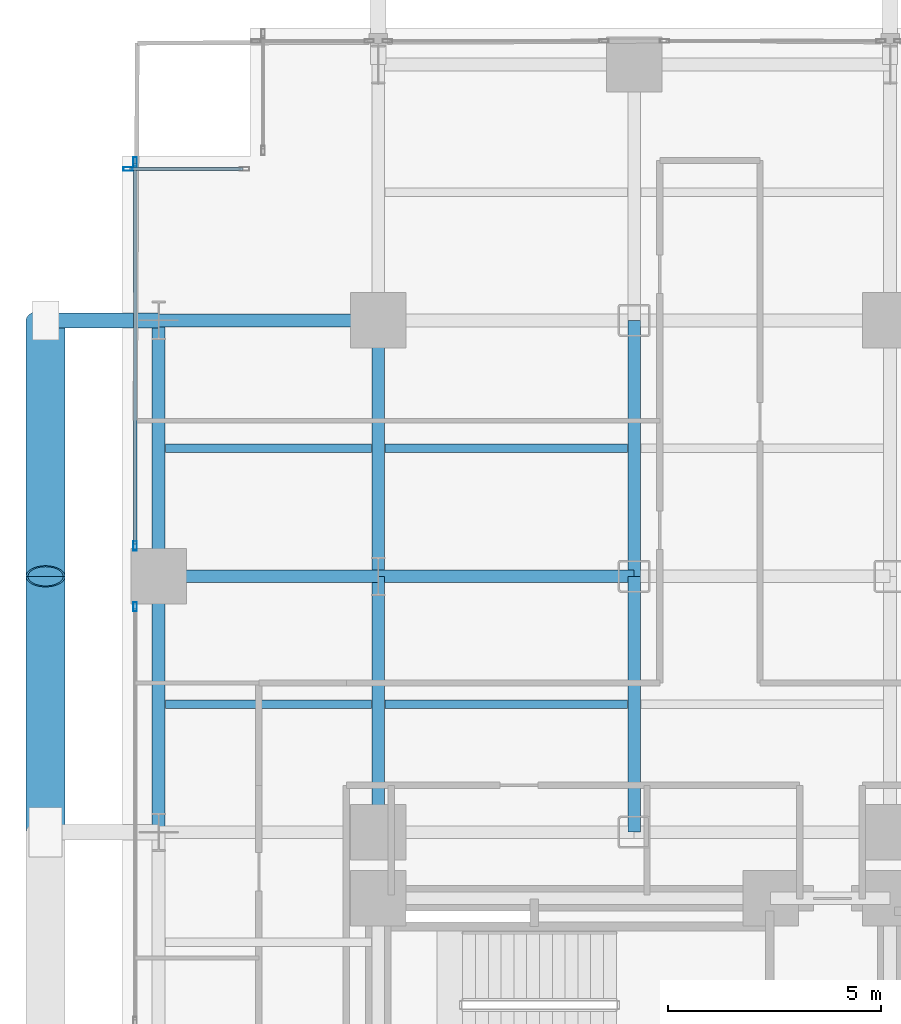
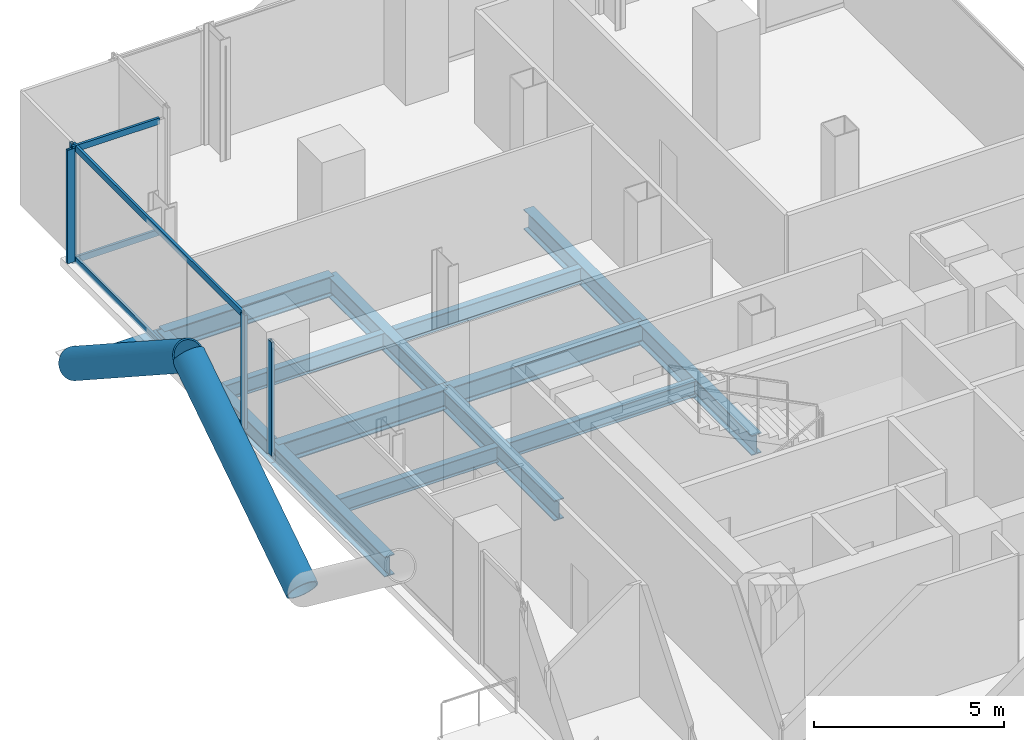
# One storey, part 13 of 25: 13 beams, 11 members, 3 elements without a shape of their own.
"""IFC4 building model written with IfcOpenShell, lengths in metres."""

import ifcopenshell
import ifcopenshell.guid

model = None  # the IFC model being written
_history = None  # IfcOwnerHistory: only IFC2X3 demands one
_inside = {}  # id of a spatial element -> (the spatial element, [elements in it])
_under = {}  # id of a project, library or spatial element -> (it, [spatial elements below it])
_declared = {}  # id of a project -> (the project, [libraries it declares])
_typed = {}  # id of a type object -> (the type object, [elements of that type])
_made_of = {}  # id of a material, layer set ... -> (it, [elements and type objects made of it])


def new_model(schema):
    """Start an empty IFC model of exactly this schema.

    Asked for "IFC4X3", IfcOpenShell would pick the latest addendum, in which some entities
    have other attributes; the version numbers below select the first issue.
    IFC2X3 requires an IfcOwnerHistory on every rooted entity: one is made here for all.
    """
    global model, _history
    if schema == "IFC4X3":
        model = ifcopenshell.file(schema_version=(4, 3, 0, 0))
    else:
        model = ifcopenshell.file(schema=schema)
    _inside.clear()
    _under.clear()
    _declared.clear()
    _typed.clear()
    _made_of.clear()
    _history = None
    if model.schema == "IFC2X3":
        org = make("IfcOrganization", Name="unknown")
        user = make(
            "IfcPersonAndOrganization",
            ThePerson=make("IfcPerson", FamilyName="unknown"),
            TheOrganization=org,
        )
        app = make(
            "IfcApplication",
            ApplicationDeveloper=org,
            Version="unknown",
            ApplicationFullName="unknown",
            ApplicationIdentifier="unknown",
        )
        _history = make(
            "IfcOwnerHistory",
            OwningUser=user,
            OwningApplication=app,
            ChangeAction="ADDED",
            CreationDate=0,
        )
    return model


def make(cls, **values):
    """One entity of the class cls with the attributes given. An attribute that is None is left unset."""
    return model.create_entity(
        cls, **{name: value for name, value in values.items() if value is not None}
    )


def rooted(cls, **values):
    """An entity with a GlobalId (a new one), such as an element, a storey or a relation."""
    return make(cls, GlobalId=ifcopenshell.guid.new(), OwnerHistory=_history, **values)


def si_unit(unit_type, name, prefix=None):
    """IfcSIUnit, for example si_unit("LENGTHUNIT", "METRE", prefix="MILLI")."""
    return make("IfcSIUnit", UnitType=unit_type, Prefix=prefix, Name=name)


def assignment(units):
    """IfcUnitAssignment: the units of a project."""
    return None if units is None else make("IfcUnitAssignment", Units=units)


def point(xyz):
    """IfcCartesianPoint."""
    return None if xyz is None else make("IfcCartesianPoint", Coordinates=xyz)


def direction(xyz):
    """IfcDirection."""
    return None if xyz is None else make("IfcDirection", DirectionRatios=xyz)


def frame(location, z_axis=None, x_axis=None):
    """IfcAxis2Placement3D, a coordinate frame: its origin and axes. An axis left out is left unset."""
    return make(
        "IfcAxis2Placement3D",
        Location=point(location),
        Axis=direction(z_axis),
        RefDirection=direction(x_axis),
    )


def frame_2d(location, x_axis=None):
    """IfcAxis2Placement2D, a coordinate frame in the plane: its origin and x axis."""
    return make(
        "IfcAxis2Placement2D", Location=point(location), RefDirection=direction(x_axis)
    )


def origin():
    """The frame at (0, 0, 0) with its axes left unset."""
    return frame((0.0, 0.0, 0.0))


def origin_2d():
    """The frame at (0, 0) in the plane with its x axis left unset."""
    return frame_2d((0.0, 0.0))


def place(relative_to, where):
    """IfcLocalPlacement: puts the frame where relative to a parent placement (None: the world)."""
    return make(
        "IfcLocalPlacement", PlacementRelTo=relative_to, RelativePlacement=where
    )


def context(
    kind, dimensions, precision=None, world=None, true_north=None, identifier=None
):
    """IfcGeometricRepresentationContext, for example the 3D "Model" context."""
    return make(
        "IfcGeometricRepresentationContext",
        ContextIdentifier=identifier,
        ContextType=kind,
        CoordinateSpaceDimension=dimensions,
        Precision=precision,
        WorldCoordinateSystem=world,
        TrueNorth=true_north,
    )


def subcontext(parent, identifier, kind, view, scale=None):
    """IfcGeometricRepresentationSubContext, for example "Body" below "Model"."""
    return make(
        "IfcGeometricRepresentationSubContext",
        ContextIdentifier=identifier,
        ContextType=kind,
        ParentContext=parent,
        TargetScale=scale,
        TargetView=view,
    )


def project(units=None, contexts=None):
    """IfcProject with its units and contexts."""
    return rooted(
        "IfcProject",
        Name="project",
        RepresentationContexts=contexts,
        UnitsInContext=assignment(units),
    )


def spatial(cls, under=None, at=None, **own):
    """A site, building, storey or space (cls), placed at a placement, below another one or the project."""
    s = rooted(cls, ObjectPlacement=at, **own)
    if under is not None:
        _under.setdefault(under.id(), (under, []))[1].append(s)
    return s


def profile(cls, at=None, kind="AREA", **sizes):
    """A parametric profile (cls). Its sizes go by their IFC names, for example OverallWidth=200.0."""
    return make(cls, ProfileType=kind, Position=at, **sizes)


def hollow_rectangle(**sizes):
    """IfcRectangleHollowProfileDef."""
    return profile("IfcRectangleHollowProfileDef", **sizes)


def hollow_circle(**sizes):
    """IfcCircleHollowProfileDef."""
    return profile("IfcCircleHollowProfileDef", **sizes)


def i_section(**sizes):
    """IfcIShapeProfileDef."""
    return profile("IfcIShapeProfileDef", **sizes)


def extrude(swept, where, along, depth):
    """IfcExtrudedAreaSolid: the profile swept, set in the frame where, extruded along a direction by depth."""
    return make(
        "IfcExtrudedAreaSolid",
        SweptArea=swept,
        Position=where,
        ExtrudedDirection=direction(along),
        Depth=depth,
    )


def shape(context_of_items, identifier, shape_type, items):
    """IfcShapeRepresentation: the items that make up one representation, for example the "Body"."""
    return make(
        "IfcShapeRepresentation",
        ContextOfItems=context_of_items,
        RepresentationIdentifier=identifier,
        RepresentationType=shape_type,
        Items=items,
    )


def material(Name=None, Category=None):
    """IfcMaterial."""
    return make("IfcMaterial", Name=Name, Category=Category)


def layer(
    of_material, thickness, ventilated=None, Name=None, Category=None, Priority=None
):
    """IfcMaterialLayer: one layer of a wall or slab, of a material (None: an air gap)."""
    return make(
        "IfcMaterialLayer",
        Material=of_material,
        LayerThickness=thickness,
        IsVentilated=ventilated,
        Name=Name,
        Category=Category,
        Priority=Priority,
    )


def layer_set(layers, Name=None):
    """IfcMaterialLayerSet."""
    return make("IfcMaterialLayerSet", MaterialLayers=layers, LayerSetName=Name)


def material_profile(
    of_material, cross_section, Name=None, Category=None, Priority=None
):
    """IfcMaterialProfile: a cross section and its material."""
    return make(
        "IfcMaterialProfile",
        Name=Name,
        Material=of_material,
        Profile=cross_section,
        Priority=Priority,
        Category=Category,
    )


def profile_set(profiles, Name=None, composite=None):
    """IfcMaterialProfileSet."""
    return make(
        "IfcMaterialProfileSet",
        Name=Name,
        MaterialProfiles=profiles,
        CompositeProfile=composite,
    )


def made_of(thing, what):
    """Note that an element or type object is made of a material, layer set ...; save() writes the relation."""
    if what is not None:
        _made_of.setdefault(what.id(), (what, []))[1].append(thing)
    return thing


def type_object(cls, material=None, **own):
    """A type object (cls), such as IfcWallType, which elements share."""
    return made_of(rooted(cls, **own), material)


def element(
    cls,
    number,
    at=None,
    inside=None,
    cuts=None,
    type_object=None,
    material=None,
    context=None,
    identifier="Body",
    shape_type=None,
    held_by="IfcProductDefinitionShape",
    body=None,
    shapes=None,
    **own,
):
    """One element of the class cls, such as IfcWall. Its Tag is "e" and its number.

    at: its placement. inside: the storey or other place that contains it. cuts: it is an
    opening in that element (IfcRelVoidsElement). A single representation is given by context,
    identifier, shape_type and body (its items); several are given by shapes. held_by: the class
    of the entity that holds the representations. save() writes the other relations.
    """
    e = rooted(cls, Tag="e%d" % number, ObjectPlacement=at, **own)
    if body is not None:
        shapes = [shape(context, identifier, shape_type, body)]
    if shapes is not None:
        e.Representation = make(held_by, Representations=shapes)
    if inside is not None:
        _inside.setdefault(inside.id(), (inside, []))[1].append(e)
    if cuts is not None:
        rooted(
            "IfcRelVoidsElement", RelatingBuildingElement=cuts, RelatedOpeningElement=e
        )
    if type_object is not None:
        _typed.setdefault(type_object.id(), (type_object, []))[1].append(e)
    return made_of(e, material)


def aggregate(whole, parts):
    """IfcRelAggregates: a whole, such as a stair, and the parts it consists of."""
    return rooted("IfcRelAggregates", RelatingObject=whole, RelatedObjects=parts)


def save(model, path):
    """Write the relations noted so far, then the file.

    IfcRelAggregates (storeys below a building ...), IfcRelContainedInSpatialStructure (elements
    in a storey), IfcRelDefinesByType, IfcRelAssociatesMaterial and IfcRelDeclares: one each for
    every whole, place, type object, material and project.
    """
    for whole, parts in _under.values():
        aggregate(whole, parts)
    for where, things in _inside.values():
        rooted(
            "IfcRelContainedInSpatialStructure",
            RelatedElements=things,
            RelatingStructure=where,
        )
    for kind, things in _typed.values():
        rooted("IfcRelDefinesByType", RelatedObjects=things, RelatingType=kind)
    for what, things in _made_of.values():
        rooted("IfcRelAssociatesMaterial", RelatedObjects=things, RelatingMaterial=what)
    for by, libraries in _declared.values():
        rooted("IfcRelDeclares", RelatingContext=by, RelatedDefinitions=libraries)
    model.write(path)


model = new_model("IFC4")

# Units and contexts
model_context = context("Model", 3, precision=1e-05, world=origin(), true_north=direction((0.0, 1.0)))
body_context = subcontext(model_context, "Body", "Model", "MODEL_VIEW")
ifc_project = project(units=[si_unit("LENGTHUNIT", "METRE"), si_unit("AREAUNIT", "SQUARE_METRE"), si_unit("VOLUMEUNIT", "CUBIC_METRE"), si_unit("PLANEANGLEUNIT", "RADIAN"), si_unit("MASSUNIT", "GRAM", prefix="KILO"), si_unit("THERMODYNAMICTEMPERATUREUNIT", "KELVIN"), si_unit("POWERUNIT", "WATT")], contexts=[model_context])

# Site, building, storey
site_placement = place(None, origin())
site = spatial("IfcSite", under=ifc_project, at=site_placement, CompositionType="ELEMENT")
building_placement = place(site_placement, origin())
building = spatial("IfcBuilding", under=site, at=building_placement, Name="Svarakhadi Broadcast Tower", CompositionType="ELEMENT")
storey_placement = place(building_placement, frame((0.0, 0.0, 32.39990234375)))
storey = spatial("IfcBuildingStorey", under=building, at=storey_placement, Name="L06", CompositionType="ELEMENT", Elevation=32.39990234375)

# Beams
ifc_material_1 = material(Name="Steel S355J2 (IS 2062 E350C)", Category="steel")
ifc_material_profile_1 = material_profile(ifc_material_1, i_section(OverallWidth=0.199951171875, OverallDepth=0.5, WebThickness=0.01025390625, FlangeThickness=0.01611328125, FilletRadius=0.02099609375, at=origin_2d()), Name="NPB 500x200x91")
ifc_profile_set_1 = profile_set([ifc_material_profile_1], Name="Steel S355J2 (IS 2062 E350C)")
beam_type_1 = type_object("IfcBeamType", Name="Beam_NPB500", PredefinedType="BEAM", material=ifc_profile_set_1)
for number, where, z_axis, x_axis, name in (
    (1, (1.010009765625, 32.14990234375, -0.5), (1.0, 0.0, 0.0), (0.0, 1.0, 0.0), "L06 Secondary Composite Beam SB005"),
    (2, (1.010009765625, 38.14990234375, -0.5), (1.0, 0.0, 0.0), (0.0, 1.0, 0.0), "L06 Secondary Composite Beam SB006"),
):
    element("IfcBeam", number, at=place(storey_placement, frame(where, z_axis=z_axis, x_axis=x_axis)), inside=storey, type_object=beam_type_1, Name=name, PredefinedType="BEAM", context=body_context, shape_type="SweptSolid", body=[
        extrude(i_section(OverallWidth=0.199951171875, OverallDepth=0.5, WebThickness=0.01025390625, FlangeThickness=0.01611328125, FilletRadius=0.02099609375, at=origin_2d()), origin(), (0.0, 0.0, 1.0), 4.830078125),
    ])
for number, where, z_axis, x_axis, name in (
    (3, (6.159912109375, 32.14990234375, -0.5), (1.0, 0.0, 0.0), (0.0, 1.0, 0.0), "L06 Secondary Composite Beam SB010"),
    (4, (6.159912109375, 38.14990234375, -0.5), (1.0, 0.0, 0.0), (0.0, 1.0, 0.0), "L06 Secondary Composite Beam SB011"),
):
    element("IfcBeam", number, at=place(storey_placement, frame(where, z_axis=z_axis, x_axis=x_axis)), inside=storey, type_object=beam_type_1, Name=name, PredefinedType="BEAM", context=body_context, shape_type="SweptSolid", body=[
        extrude(i_section(OverallWidth=0.199951171875, OverallDepth=0.5, WebThickness=0.01025390625, FlangeThickness=0.01611328125, FilletRadius=0.02099609375, at=origin_2d()), origin(), (0.0, 0.0, 1.0), 5.68017578125),
    ])

# Curtain wall, member
ifc_material_2 = material(Name="Anodised Bronze Aluminium AA 6063-T6", Category="aluminium")
ifc_layer = layer(ifc_material_2, 0.219970703125)
ifc_layer_set = layer_set([ifc_layer], Name="Anodised Bronze Aluminium AA 6063-T6")
curtain_wall_type = type_object("IfcCurtainWallType", Name="CW_Sys_02", PredefinedType="NOTDEFINED", material=ifc_layer_set)
curtain_wall_1_placement = place(storey_placement, origin())
curtain_wall_1 = element("IfcCurtainWall", 5, at=curtain_wall_1_placement, inside=storey, type_object=curtain_wall_type, Name="L06 West Curtain Wall 03 Bay 2", PredefinedType="NOTDEFINED")
ifc_material_profile_2 = material_profile(ifc_material_2, hollow_rectangle(XDim=0.0849609375, YDim=0.219970703125, WallThickness=0.006103515625, at=origin_2d()), Name="ALU MULLION 220x85x6")
ifc_profile_set_2 = profile_set([ifc_material_profile_2], Name="Anodised Bronze Aluminium AA 6063-T6")
member_type_1 = type_object("IfcMemberType", Name="CW_Sys_02_Mul", PredefinedType="MULLION", material=ifc_profile_set_2)
member_1_placement = place(storey_placement, frame((0.300048828125, 34.4375, 0.0), z_axis=(0.0, 0.0, 1.0), x_axis=(-1.0, 0.0, 0.0)))
member_1 = element("IfcMember", 6, at=member_1_placement, type_object=member_type_1, Name="CW-02 mullion 2", PredefinedType="MULLION", context=body_context, shape_type="SweptSolid", body=[
    extrude(hollow_rectangle(XDim=0.0849609375, YDim=0.219970703125, WallThickness=0.006103515625, at=origin_2d()), origin(), (0.0, 0.0, 1.0), 3.650146484375),
])
aggregate(curtain_wall_1, [member_1])

# Curtain wall, members
curtain_wall_2_placement = place(storey_placement, origin())
curtain_wall_2 = element("IfcCurtainWall", 7, at=curtain_wall_2_placement, inside=storey, type_object=curtain_wall_type, Name="L06 West Curtain Wall 03 Bay 3", PredefinedType="NOTDEFINED")
member_2_placement = place(storey_placement, frame((0.300048828125, 35.862548828125, 0.0), z_axis=(0.0, 0.0, 1.0), x_axis=(-1.0, 0.0, 0.0)))
member_2 = element("IfcMember", 8, at=member_2_placement, type_object=member_type_1, Name="CW-02 mullion 1", PredefinedType="MULLION", context=body_context, shape_type="SweptSolid", body=[
    extrude(hollow_rectangle(XDim=0.0849609375, YDim=0.219970703125, WallThickness=0.006103515625, at=origin_2d()), origin(), (0.0, 0.0, 1.0), 3.650146484375),
])
member_3_placement = place(storey_placement, frame((0.300048828125, 44.867431640625, 0.0), z_axis=(0.0, 0.0, 1.0), x_axis=(-1.0, 0.0, 0.0)))
member_3 = element("IfcMember", 9, at=member_3_placement, type_object=member_type_1, Name="CW-02 mullion 2", PredefinedType="MULLION", context=body_context, shape_type="SweptSolid", body=[
    extrude(hollow_rectangle(XDim=0.0849609375, YDim=0.219970703125, WallThickness=0.006103515625, at=origin_2d()), origin(), (0.0, 0.0, 1.0), 3.650146484375),
])

# Curtain wall, member
curtain_wall_3_placement = place(storey_placement, origin())
curtain_wall_3 = element("IfcCurtainWall", 10, at=curtain_wall_3_placement, inside=storey, type_object=curtain_wall_type, Name="L06 Unitised Facade Curtain Wall 04", PredefinedType="NOTDEFINED")
member_4_placement = place(storey_placement, frame((0.132568359375, 44.699951171875, 0.0), z_axis=(0.0, 0.0, 1.0), x_axis=(0.0, 1.0, 0.0)))
member_4 = element("IfcMember", 11, at=member_4_placement, type_object=member_type_1, Name="CW-02 mullion 1", PredefinedType="MULLION", context=body_context, shape_type="SweptSolid", body=[
    extrude(hollow_rectangle(XDim=0.0849609375, YDim=0.219970703125, WallThickness=0.006103515625, at=origin_2d()), origin(), (0.0, 0.0, 1.0), 3.650146484375),
])

# Member
ifc_material_profile_3 = material_profile(ifc_material_2, hollow_rectangle(XDim=0.074951171875, YDim=0.199951171875, WallThickness=0.0048828125, at=origin_2d()), Name="ALU TRANSOM 200x75x5")
ifc_profile_set_3 = profile_set([ifc_material_profile_3], Name="Anodised Bronze Aluminium AA 6063-T6")
member_type_2 = type_object("IfcMemberType", Name="CW_Sys_02_Trn", PredefinedType="USERDEFINED", material=ifc_profile_set_3)
member_5_placement = place(storey_placement, frame((0.300048828125, 35.905029296875, 0.03759765625), z_axis=(0.0, 1.0, 0.0), x_axis=(-1.0, 0.0, 0.0)))
member_5 = element("IfcMember", 12, at=member_5_placement, type_object=member_type_2, Name="CW-02 transom 1.1", ObjectType="TRANSOM", PredefinedType="USERDEFINED", context=body_context, shape_type="SweptSolid", body=[
    extrude(hollow_rectangle(XDim=0.074951171875, YDim=0.199951171875, WallThickness=0.0048828125, at=origin_2d()), origin(), (0.0, 0.0, 1.0), 8.919921875),
])

member_6_placement = place(storey_placement, frame((0.300048828125, 35.905029296875, 3.612548828125), z_axis=(0.0, 1.0, 0.0), x_axis=(-1.0, 0.0, 0.0)))
member_6 = element("IfcMember", 13, at=member_6_placement, type_object=member_type_2, Name="CW-02 transom 1.2", ObjectType="TRANSOM", PredefinedType="USERDEFINED", context=body_context, shape_type="SweptSolid", body=[
    extrude(hollow_rectangle(XDim=0.074951171875, YDim=0.199951171875, WallThickness=0.0048828125, at=origin_2d()), origin(), (0.0, 0.0, 1.0), 8.919921875),
])

aggregate(curtain_wall_2, [member_2, member_3, member_5, member_6])

member_7_placement = place(storey_placement, frame((0.175048828125, 44.699951171875, 0.03759765625), z_axis=(1.0, 0.0, 0.0), x_axis=(0.0, 1.0, 0.0)))
member_7 = element("IfcMember", 14, at=member_7_placement, type_object=member_type_2, Name="CW-02 transom 1.1", ObjectType="TRANSOM", PredefinedType="USERDEFINED", context=body_context, shape_type="SweptSolid", body=[
    extrude(hollow_rectangle(XDim=0.074951171875, YDim=0.199951171875, WallThickness=0.0048828125, at=origin_2d()), origin(), (0.0, 0.0, 1.0), 2.64990234375),
])

member_8_placement = place(storey_placement, frame((0.175048828125, 44.699951171875, 3.612548828125), z_axis=(1.0, 0.0, 0.0), x_axis=(0.0, 1.0, 0.0)))
member_8 = element("IfcMember", 15, at=member_8_placement, type_object=member_type_2, Name="CW-02 transom 1.2", ObjectType="TRANSOM", PredefinedType="USERDEFINED", context=body_context, shape_type="SweptSolid", body=[
    extrude(hollow_rectangle(XDim=0.074951171875, YDim=0.199951171875, WallThickness=0.0048828125, at=origin_2d()), origin(), (0.0, 0.0, 1.0), 2.64990234375),
])

aggregate(curtain_wall_3, [member_4, member_7, member_8])

# Members
ifc_material_3 = material(Name="Steel S460ML (IS 2062 E450BR)", Category="steel")
ifc_material_profile_4 = material_profile(ifc_material_3, hollow_circle(Radius=0.45703125, WallThickness=0.044921875, at=origin_2d()), Name="CHS 914x45")
ifc_profile_set_4 = profile_set([ifc_material_profile_4], Name="Steel S460ML (IS 2062 E450BR)")
member_type_3 = type_object("IfcMemberType", Name="Exo_Brace_CHS914", PredefinedType="BRACE", material=ifc_profile_set_4)
for number, where, z_axis, x_axis, name in (
    (16, (-1.800048828125, 29.14990234375, -0.427734375), (0.0, 0.838434262763, 0.545002740383), (-1.0, 0.0, 0.0), "L06 Exposed Bronze Exoskeleton Diagonal W06"),
    (17, (-1.800048828125, 41.14990234375, -0.427734375), (0.0, -0.838434262763, 0.545002740383), (1.0, 0.0, 0.0), "L06 Exposed Bronze Exoskeleton Diagonal W07"),
):
    element("IfcMember", number, at=place(storey_placement, frame(where, z_axis=z_axis, x_axis=x_axis)), inside=storey, type_object=member_type_3, Name=name, PredefinedType="BRACE", context=body_context, shape_type="SweptSolid", body=[
        extrude(hollow_circle(Radius=0.45703125, WallThickness=0.044921875, at=origin_2d()), origin(), (0.0, 0.0, 1.0), 7.15625),
    ])
ifc_material_profile_5 = material_profile(ifc_material_3, hollow_circle(Radius=0.177734375, WallThickness=0.02001953125, at=origin_2d()), Name="CHS 355.6x20")
ifc_profile_set_5 = profile_set([ifc_material_profile_5], Name="Steel S460ML (IS 2062 E450BR)")
member_type_4 = type_object("IfcMemberType", Name="Exo_Radial_Strut_Z1", PredefinedType="STRUT", material=ifc_profile_set_5)
member_9_placement = place(storey_placement, frame((-1.800048828125, 41.14990234375, -0.427734375), z_axis=(1.0, 0.0, 0.0), x_axis=(0.0, 1.0, 0.0)))
element("IfcMember", 18, at=member_9_placement, inside=storey, type_object=member_type_4, Name="L06 Exoskeleton Radial Tie Strut W04", PredefinedType="STRUT", context=body_context, shape_type="SweptSolid", body=[
    extrude(hollow_circle(Radius=0.177734375, WallThickness=0.02001953125, at=origin_2d()), origin(), (0.0, 0.0, 1.0), 2.650146484375),
])

# Beams
ifc_material_profile_6 = material_profile(ifc_material_1, i_section(OverallWidth=0.300048828125, OverallDepth=0.64990234375, WebThickness=0.01611328125, FlangeThickness=0.031005859375, FilletRadius=0.027099609375, at=origin_2d()), Name="WPB 650x300x225")
ifc_profile_set_6 = profile_set([ifc_material_profile_6], Name="Steel S355J2 (IS 2062 E350C)")
beam_type_2 = type_object("IfcBeamType", Name="Girder_WPB650", PredefinedType="USERDEFINED", material=ifc_profile_set_6)
beam_1_placement = place(storey_placement, frame((0.85009765625, 35.14990234375, -0.574951171875), z_axis=(1.0, 0.0, 0.0), x_axis=(0.0, 1.0, 0.0)))
element("IfcBeam", 19, at=beam_1_placement, inside=storey, type_object=beam_type_2, Name="L06 Primary E-W Girder G037", ObjectType="GIRDER", PredefinedType="USERDEFINED", context=body_context, shape_type="SweptSolid", body=[
    extrude(i_section(OverallWidth=0.300048828125, OverallDepth=0.64990234375, WebThickness=0.01611328125, FlangeThickness=0.031005859375, FilletRadius=0.027099609375, at=origin_2d()), origin(), (0.0, 0.0, 1.0), 5.14990234375),
])
beam_2_placement = place(storey_placement, frame((6.0, 35.14990234375, -0.574951171875), z_axis=(1.0, 0.0, 0.0), x_axis=(0.0, 1.0, 0.0)))
element("IfcBeam", 20, at=beam_2_placement, inside=storey, type_object=beam_type_2, Name="L06 Primary E-W Girder G038", ObjectType="GIRDER", PredefinedType="USERDEFINED", context=body_context, shape_type="SweptSolid", body=[
    extrude(i_section(OverallWidth=0.300048828125, OverallDepth=0.64990234375, WebThickness=0.01611328125, FlangeThickness=0.031005859375, FilletRadius=0.027099609375, at=origin_2d()), origin(), (0.0, 0.0, 1.0), 6.0),
])
beam_3_placement = place(storey_placement, frame((0.85009765625, 41.14990234375, -0.574951171875), z_axis=(1.0, 0.0, 0.0), x_axis=(0.0, 1.0, 0.0)))
element("IfcBeam", 21, at=beam_3_placement, inside=storey, type_object=beam_type_2, Name="L06 Primary E-W Girder G040", ObjectType="GIRDER", PredefinedType="USERDEFINED", context=body_context, shape_type="SweptSolid", body=[
    extrude(i_section(OverallWidth=0.300048828125, OverallDepth=0.64990234375, WebThickness=0.01611328125, FlangeThickness=0.031005859375, FilletRadius=0.027099609375, at=origin_2d()), origin(), (0.0, 0.0, 1.0), 5.14990234375),
])
for number, where, z_axis, x_axis, name in (
    (22, (0.85009765625, 29.14990234375, -0.574951171875), (0.0, 1.0, 0.0), (-1.0, 0.0, 0.0), "L06 Primary N-S Girder G049"),
    (23, (0.85009765625, 35.14990234375, -0.574951171875), (0.0, 1.0, 0.0), (-1.0, 0.0, 0.0), "L06 Primary N-S Girder G050"),
    (24, (6.0, 29.14990234375, -0.574951171875), (0.0, 1.0, 0.0), (-1.0, 0.0, 0.0), "L06 Primary N-S Girder G055"),
    (25, (6.0, 35.14990234375, -0.574951171875), (0.0, 1.0, 0.0), (-1.0, 0.0, 0.0), "L06 Primary N-S Girder G056"),
    (26, (12.0, 29.14990234375, -0.574951171875), (0.0, 1.0, 0.0), (-1.0, 0.0, 0.0), "L06 Primary N-S Girder G061"),
    (27, (12.0, 35.14990234375, -0.574951171875), (0.0, 1.0, 0.0), (-1.0, 0.0, 0.0), "L06 Primary N-S Girder G062"),
):
    element("IfcBeam", number, at=place(storey_placement, frame(where, z_axis=z_axis, x_axis=x_axis)), inside=storey, type_object=beam_type_2, Name=name, ObjectType="GIRDER", PredefinedType="USERDEFINED", context=body_context, shape_type="SweptSolid", body=[
        extrude(i_section(OverallWidth=0.300048828125, OverallDepth=0.64990234375, WebThickness=0.01611328125, FlangeThickness=0.031005859375, FilletRadius=0.027099609375, at=origin_2d()), origin(), (0.0, 0.0, 1.0), 6.0),
    ])

save(model, "model.ifc")
